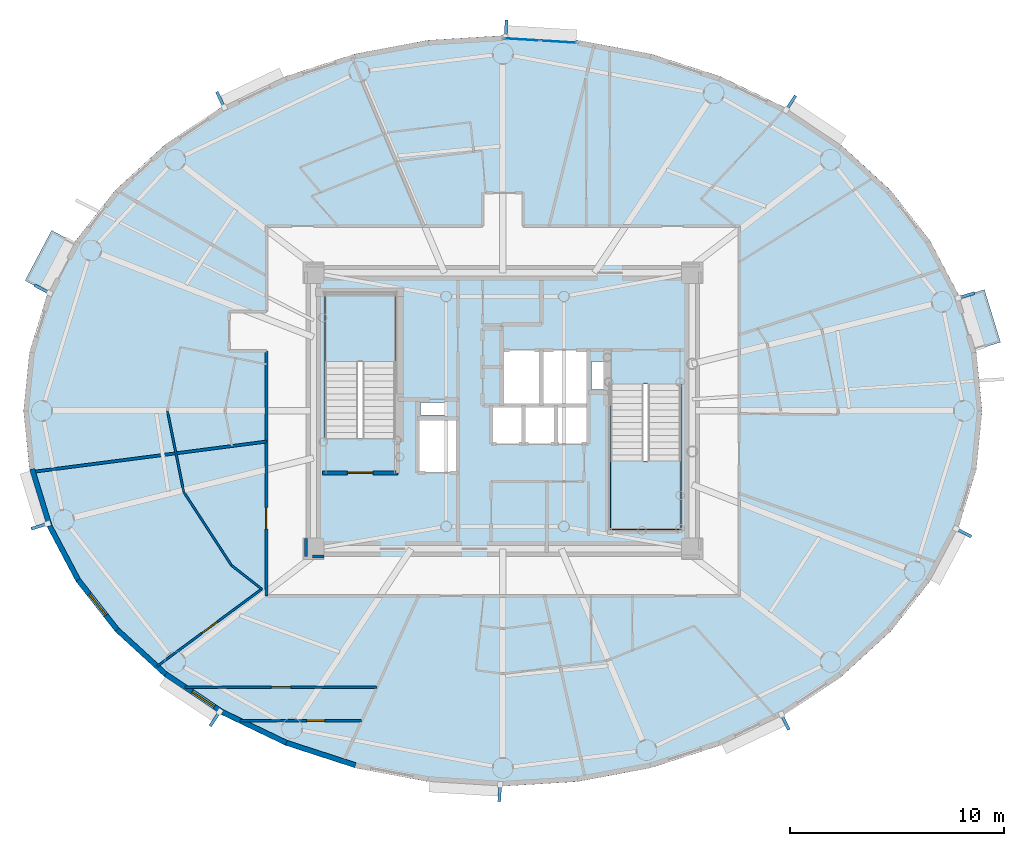
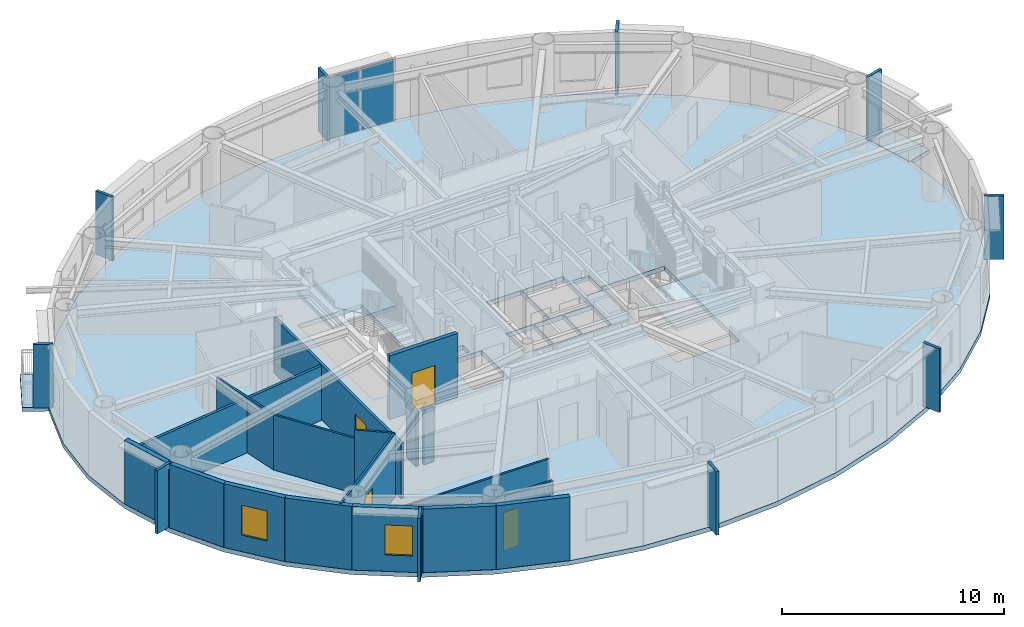
# One storey, part 5 of 18: 18 walls, 12 plates, 5 doors, 5 slabs, 2 windows, 7 openings, 3 elements without a shape of their own.
"""IFC4 building model written with IfcOpenShell, lengths in metres."""

from ifc_helpers import new_model, si_unit, direction, frame, frame_2d, origin, origin_2d, place, context, subcontext, project, spatial, polyline, rectangle, outline, extrude, source, transform, mapped, material, layer, layer_set, type_object, element, fill, aggregate, save


model = new_model("IFC4")

# Units and contexts
model_context = context("Model", 3, precision=1e-05, world=origin(), true_north=direction((0.0, 1.0)))
body_context = subcontext(model_context, "Body", "Model", "MODEL_VIEW")
ifc_project = project(units=[si_unit("LENGTHUNIT", "METRE"), si_unit("AREAUNIT", "SQUARE_METRE"), si_unit("VOLUMEUNIT", "CUBIC_METRE"), si_unit("PLANEANGLEUNIT", "RADIAN"), si_unit("MASSUNIT", "GRAM", prefix="KILO")], contexts=[model_context])

# Site, building, storey
site_placement = place(None, origin())
site = spatial("IfcSite", under=ifc_project, at=site_placement, CompositionType="ELEMENT")
building_placement = place(site_placement, origin())
building = spatial("IfcBuilding", under=site, at=building_placement, Name="Linh Dai School and Residence Tower", CompositionType="ELEMENT")
storey_placement = place(building_placement, frame((0.0, 0.0, 295.5)))
storey = spatial("IfcBuildingStorey", under=building, at=storey_placement, Name="L73", CompositionType="ELEMENT", Elevation=295.5)

# Slabs
ifc_material_1 = material(Name="Concrete B45 (C35/45)", Category="concrete")
ifc_layer_1 = layer(ifc_material_1, 0.219970703125)
ifc_layer_set_1 = layer_set([ifc_layer_1], Name="Concrete B45 (C35/45)")
slab_type_1 = type_object("IfcSlabType", Name="SLB-BALC-220", PredefinedType="FLOOR", material=ifc_layer_set_1)
slab_1_placement = place(storey_placement, frame((0.0, 0.0, -0.219970703125)))
element("IfcSlab", 1, at=slab_1_placement, inside=storey, type_object=slab_type_1, Name="L73 Sliding Balcony Slab 02", PredefinedType="FLOOR", context=body_context, shape_type="SweptSolid", body=[
    extrude(outline(polyline([(57.260498046875, 32.289794921875), (58.015380859375, 29.827880859375), (59.25830078125, 30.208984375), (58.50341796875, 32.6708984375), (57.260498046875, 32.289794921875)])), origin(), (0.0, 0.0, 1.0), 0.219970703125),
])
slab_2_placement = place(storey_placement, frame((0.0, 0.0, -0.219970703125)))
element("IfcSlab", 2, at=slab_2_placement, inside=storey, type_object=slab_type_1, Name="L73 Sliding Balcony Slab 18", PredefinedType="FLOOR", context=body_context, shape_type="SweptSolid", body=[
    extrude(outline(polyline([(14.81884765625, 32.481689453125), (16.0595703125, 34.827392578125), (14.91064453125, 35.435302734375), (13.669677734375, 33.089599609375), (14.81884765625, 32.481689453125)])), origin(), (0.0, 0.0, 1.0), 0.219970703125),
])
ifc_layer_2 = layer(ifc_material_1, 0.25)
ifc_layer_set_2 = layer_set([ifc_layer_2], Name="Concrete B45 (C35/45)")
slab_type_2 = type_object("IfcSlabType", Name="SLB-FLR250", PredefinedType="FLOOR", material=ifc_layer_set_2)
slab_3_placement = place(storey_placement, frame((0.0, 0.0, -0.25)))
element("IfcSlab", 3, at=slab_3_placement, inside=storey, type_object=slab_type_2, Name="L73 Composite Structural Floor Slab", PredefinedType="FLOOR", context=body_context, shape_type="SweptSolid", body=[
    extrude(outline(polyline([(58.39990234375, 27.0), (58.124267578125, 29.743896484375), (57.3037109375, 32.420166015625), (55.95849609375, 34.962890625), (54.1220703125, 37.309814453125), (51.839111328125, 39.402587890625), (49.16650390625, 41.190185546875), (46.16943359375, 42.628173828125), (42.921875, 43.681640625), (39.504150390625, 44.323974609375), (36.0, 44.5400390625), (32.495849609375, 44.323974609375), (29.078125, 43.681640625), (25.83056640625, 42.628173828125), (22.83349609375, 41.190185546875), (20.160888671875, 39.402587890625), (17.8779296875, 37.309814453125), (16.04150390625, 34.962890625), (14.6962890625, 32.420166015625), (13.875732421875, 29.743896484375), (13.60009765625, 27.0), (13.875732421875, 24.256103515625), (14.6962890625, 21.579833984375), (16.04150390625, 19.037109375), (17.8779296875, 16.690185546875), (20.160888671875, 14.597412109375), (22.83349609375, 12.809814453125), (25.83056640625, 11.371826171875), (29.078125, 10.318359375), (32.495849609375, 9.676025390625), (36.0, 9.4599609375), (39.504150390625, 9.676025390625), (42.921875, 10.318359375), (46.16943359375, 11.371826171875), (49.16650390625, 12.809814453125), (51.839111328125, 14.597412109375), (54.1220703125, 16.690185546875), (55.95849609375, 19.037109375), (57.3037109375, 21.579833984375), (58.124267578125, 24.256103515625), (58.39990234375, 27.0)]), holes=[polyline([(30.97998046875, 25.699951171875), (30.97998046875, 32.5), (27.679931640625, 32.5), (27.679931640625, 25.699951171875), (30.97998046875, 25.699951171875)]), polyline([(41.02001953125, 28.25), (41.02001953125, 21.449951171875), (44.320068359375, 21.449951171875), (44.320068359375, 28.25), (41.02001953125, 28.25)]), polyline([(35.97998046875, 27.280029296875), (37.77001953125, 27.280029296875), (37.77001953125, 29.820068359375), (35.97998046875, 29.820068359375), (35.97998046875, 27.280029296875)]), polyline([(32.030029296875, 24.1298828125), (33.8701171875, 24.1298828125), (33.8701171875, 26.6201171875), (32.030029296875, 26.6201171875), (32.030029296875, 24.1298828125)]), polyline([(37.830078125, 27.280029296875), (39.969970703125, 27.280029296875), (39.969970703125, 29.820068359375), (37.830078125, 29.820068359375), (37.830078125, 27.280029296875)]), polyline([(35.47998046875, 25.47998046875), (36.929931640625, 25.47998046875), (36.929931640625, 27.219970703125), (35.47998046875, 27.219970703125), (35.47998046875, 25.47998046875)]), polyline([(36.989990234375, 25.47998046875), (38.449951171875, 25.47998046875), (38.449951171875, 27.219970703125), (36.989990234375, 27.219970703125), (36.989990234375, 25.47998046875)]), polyline([(38.510009765625, 25.47998046875), (39.969970703125, 25.47998046875), (39.969970703125, 27.219970703125), (38.510009765625, 27.219970703125), (38.510009765625, 25.47998046875)]), polyline([(40.14990234375, 28.0), (40.14990234375, 29.300048828125), (41.0, 29.300048828125), (41.0, 28.280029296875), (40.989990234375, 28.280029296875), (40.989990234375, 28.0), (40.14990234375, 28.0)]), polyline([(32.14990234375, 26.800048828125), (33.35009765625, 26.800048828125), (33.35009765625, 27.39990234375), (32.14990234375, 27.39990234375), (32.14990234375, 26.800048828125)])]), origin(), (0.0, 0.0, 1.0), 0.25),
])

# Stair, slab
stair_type = type_object("IfcStairType", Name="ST-DOG-1550-R1442", PredefinedType="HALF_TURN_STAIR", material=ifc_material_1)
stair_1_placement = place(storey_placement, origin())
stair_1 = element("IfcStair", 4, at=stair_1_placement, inside=storey, type_object=stair_type, Name="L73 Core Smokeproof Exit Stair ST1", PredefinedType="HALF_TURN_STAIR")
ifc_layer_3 = layer(ifc_material_1, 0.199951171875)
ifc_layer_set_3 = layer_set([ifc_layer_3], Name="Concrete B45 (C35/45)")
slab_type_3 = type_object("IfcSlabType", Name="SLB-ST-LANDING-200", PredefinedType="LANDING", material=ifc_layer_set_3)
slab_4_placement = place(storey_placement, frame((0.0, 0.0, 1.675048828125)))
slab_4 = element("IfcSlab", 5, at=slab_4_placement, type_object=slab_type_3, Name="ST1 landing 1", PredefinedType="LANDING", context=body_context, shape_type="SweptSolid", body=[
    extrude(outline(polyline([(30.97998046875, 29.300048828125), (30.97998046875, 32.5), (27.679931640625, 32.5), (27.679931640625, 29.300048828125), (30.97998046875, 29.300048828125)])), origin(), (0.0, 0.0, 1.0), 0.199951171875),
])
aggregate(stair_1, [slab_4])

stair_2_placement = place(storey_placement, origin())
stair_2 = element("IfcStair", 6, at=stair_2_placement, inside=storey, type_object=stair_type, Name="L73 Core Smokeproof Exit Stair ST2", PredefinedType="HALF_TURN_STAIR")
slab_5_placement = place(storey_placement, frame((0.0, 0.0, 1.675048828125)))
slab_5 = element("IfcSlab", 7, at=slab_5_placement, type_object=slab_type_3, Name="ST2 landing 1", PredefinedType="LANDING", context=body_context, shape_type="SweptSolid", body=[
    extrude(outline(polyline([(41.02001953125, 24.64990234375), (41.02001953125, 21.449951171875), (44.320068359375, 21.449951171875), (44.320068359375, 24.64990234375), (41.02001953125, 24.64990234375)])), origin(), (0.0, 0.0, 1.0), 0.199951171875),
])
aggregate(stair_2, [slab_5])

# Plates
ifc_material_2 = material(Name="Precast Concrete B45 (C35/45)", Category="concrete")
ifc_layer_4 = layer(ifc_material_2, 0.139892578125)
ifc_layer_set_4 = layer_set([ifc_layer_4], Name="Precast Concrete B45 (C35/45)")
plate_type_1 = type_object("IfcPlateType", Name="FIN-TC-900x140", PredefinedType="USERDEFINED", material=ifc_layer_set_4)
shared_shape_1 = source(origin(), body_context, "Body", "SweptSolid", [
    extrude(rectangle(XDim=0.89990234375, YDim=0.139892578125, at=origin_2d()), origin(), (0.0, 0.0, 1.0), 3.5),
])
for number, where, z_axis, x_axis, name in (
    (8, (57.615478515625, 32.377685546875, 0.0), (0.0, 0.0, 1.0), (0.956069236934, 0.293140945944, 0.0), "L73 Precast Terracotta Radial Fin 02"),
    (9, (49.43212890625, 41.355712890625, 0.0), (0.0, 0.0, 1.0), (0.555907926874, 0.831243873264, 0.0), "L73 Precast Terracotta Radial Fin 06"),
    (10, (36.14501953125, 44.81689453125, 0.0), (0.0, 0.0, 1.0), (0.061509965157, 0.998106469364, 0.0), "L73 Precast Terracotta Radial Fin 10"),
    (11, (22.826171875, 41.503173828125, 0.0), (0.0, 0.0, 1.0), (-0.432611916456, 0.901580240323, 0.0), "L73 Precast Terracotta Radial Fin 14"),
    (12, (14.50537109375, 32.669921875, 0.0), (0.0, 0.0, 1.0), (-0.883938310975, 0.467603531201, 0.0), "L73 Precast Terracotta Radial Fin 18"),
    (13, (14.384521484375, 21.622314453125, 0.0), (0.0, 0.0, 1.0), (-0.956069236934, -0.293140945944, 0.0), "L73 Precast Terracotta Radial Fin 22"),
    (14, (22.56787109375, 12.644287109375, 0.0), (0.0, 0.0, 1.0), (-0.555905765624, -0.831245318631, 0.0), "L73 Precast Terracotta Radial Fin 26"),
    (15, (35.85498046875, 9.18310546875, 0.0), (0.0, 0.0, 1.0), (-0.061509965157, -0.998106469364, 0.0), "L73 Precast Terracotta Radial Fin 30"),
    (16, (49.173828125, 12.496826171875, 0.0), (0.0, 0.0, 1.0), (0.432611916456, -0.901580240323, 0.0), "L73 Precast Terracotta Radial Fin 34"),
    (17, (57.49462890625, 21.330078125, 0.0), (0.0, 0.0, 1.0), (0.883938310975, -0.467603531201, 0.0), "L73 Precast Terracotta Radial Fin 38"),
):
    element("IfcPlate", number, at=place(storey_placement, frame(where, z_axis=z_axis, x_axis=x_axis)), inside=storey, type_object=plate_type_1, Name=name, ObjectType="RADIAL FIN", PredefinedType="USERDEFINED", context=body_context, shape_type="MappedRepresentation", body=[
        mapped(shared_shape_1, transform((0.0, 0.0, 0.0), x_axis=(1.0, 0.0, 0.0), y_axis=(0.0, 1.0, 0.0), z_axis=(0.0, 0.0, 1.0), scale=1.0)),
    ])

# Curtain wall, plates
ifc_material_3 = material(Name="Aluminium Anodised Curtain Wall", Category="aluminium")
ifc_layer_5 = layer(ifc_material_3, 0.14990234375)
ifc_layer_set_5 = layer_set([ifc_layer_5], Name="Aluminium Anodised Curtain Wall")
curtain_wall_type = type_object("IfcCurtainWallType", Name="CW-SYS-4", PredefinedType="USERDEFINED", material=ifc_layer_set_5)
curtain_wall_placement = place(storey_placement, origin())
curtain_wall = element("IfcCurtainWall", 18, at=curtain_wall_placement, inside=storey, type_object=curtain_wall_type, Name="L73 CW4 Curtain Wall 10", ObjectType="RIBBON CURTAIN WALL", PredefinedType="USERDEFINED")
ifc_material_4 = material(Name="Double Low-E Insulated Glazing", Category="glass")
ifc_layer_6 = layer(ifc_material_4, 0.02587890625)
ifc_layer_set_6 = layer_set([ifc_layer_6], Name="Double Low-E Insulated Glazing")
plate_type_2 = type_object("IfcPlateType", Name="CW-SYS-4-PAN", PredefinedType="CURTAIN_PANEL", material=ifc_layer_set_6)
shared_shape_2 = source(origin(), body_context, "Body", "SweptSolid", [
    extrude(rectangle(XDim=1.669677734375, YDim=0.02587890625, at=origin_2d()), origin(), (0.0, 0.0, 1.0), 3.39599609375),
])
plate_1_placement = place(storey_placement, frame((36.88525390625, 44.3603515625, 0.052001953125), z_axis=(0.0, 0.0, 1.0), x_axis=(0.998106469364, -0.061509965157, 0.0)))
plate_1 = element("IfcPlate", 19, at=plate_1_placement, type_object=plate_type_2, Name="CW4 panel 1.1", PredefinedType="CURTAIN_PANEL", context=body_context, shape_type="MappedRepresentation", body=[
    mapped(shared_shape_2, transform((0.0, 0.0, 0.0), x_axis=(1.0, 0.0, 0.0), y_axis=(0.0, 1.0, 0.0), z_axis=(0.0, 0.0, 1.0), scale=1.0)),
])
plate_2_placement = place(storey_placement, frame((38.603515625, 44.254638671875, 0.052001953125), z_axis=(0.0, 0.0, 1.0), x_axis=(0.998106469364, -0.061509965157, 0.0)))
plate_2 = element("IfcPlate", 20, at=plate_2_placement, type_object=plate_type_2, Name="CW4 panel 2.1", PredefinedType="CURTAIN_PANEL", context=body_context, shape_type="MappedRepresentation", body=[
    mapped(shared_shape_2, transform((0.0, 0.0, 0.0), x_axis=(1.0, 0.0, 0.0), y_axis=(0.0, 1.0, 0.0), z_axis=(0.0, 0.0, 1.0), scale=1.0)),
])
aggregate(curtain_wall, [plate_1, plate_2])

# Walls
ifc_layer_7 = layer(ifc_material_2, 0.239990234375)
ifc_layer_set_7 = layer_set([ifc_layer_7], Name="Precast Concrete B45 (C35/45)")
wall_type_1 = type_object("IfcWallType", Name="EW-TC-240", PredefinedType="SOLIDWALL", material=ifc_layer_set_7)
wall_1_placement = place(storey_placement, frame((14.811767578125, 21.627685546875, 0.0), z_axis=(0.0, 0.0, 1.0), x_axis=(-0.2931213403, 0.956075248012, 0.0)))
element("IfcWall", 21, at=wall_1_placement, inside=storey, type_object=wall_type_1, Name="L73 Terracotta Exterior Wall 22", PredefinedType="SOLIDWALL", context=body_context, shape_type="SweptSolid", body=[
    extrude(rectangle(XDim=2.775146484375, YDim=0.239990234375, at=frame_2d((1.3876953125, 0.0))), origin(), (0.0, 0.0, 1.0), 3.5),
])
wall_2_placement = place(storey_placement, frame((16.146240234375, 19.105224609375, 0.0), z_axis=(0.0, 0.0, 1.0), x_axis=(-0.467628269026, 0.883925224218, 0.0)))
element("IfcWall", 22, at=wall_2_placement, inside=storey, type_object=wall_type_1, Name="L73 Terracotta Exterior Wall 23", PredefinedType="SOLIDWALL", context=body_context, shape_type="SweptSolid", body=[
    extrude(rectangle(XDim=2.853759765625, YDim=0.239990234375, at=frame_2d((1.4267578125, 0.0))), origin(), (0.0, 0.0, 1.0), 3.5),
])

# Wall, opening, window
wall_3_placement = place(storey_placement, frame((17.9697265625, 16.775390625, 0.0), z_axis=(0.0, 0.0, 1.0), x_axis=(-0.616337186556, 0.787482363275, 0.0)))
wall_3 = element("IfcWall", 23, at=wall_3_placement, inside=storey, type_object=wall_type_1, Name="L73 Terracotta Exterior Wall 24", PredefinedType="SOLIDWALL", context=body_context, shape_type="SweptSolid", body=[
    extrude(rectangle(XDim=2.95849609375, YDim=0.239990234375, at=frame_2d((1.479248046875, 0.0))), origin(), (0.0, 0.0, 1.0), 3.5),
])
opening_1_placement = place(wall_3_placement, frame((0.85400390625, 0.0, 0.89990234375)))
opening_1 = element("IfcOpeningElement", 24, at=opening_1_placement, cuts=wall_3, Name="Opening W3", PredefinedType="OPENING", context=body_context, shape_type="SweptSolid", body=[
    extrude(rectangle(XDim=1.25, YDim=1.64990234375, at=origin_2d()), frame((0.625, 0.1298828125, 0.824951171875), z_axis=(0.0, -1.0, 0.0), x_axis=(1.0, 0.0, 0.0)), (0.0, 0.0, 1.0), 0.260009765625),
])
window_type = type_object("IfcWindowType", Name="WN-RES-1250x1650", PartitioningType="SINGLE_PANEL", PredefinedType="WINDOW", material=ifc_material_4)
shared_shape_3 = source(origin(), body_context, "Body", "SweptSolid", [
    extrude(rectangle(XDim=1.25, YDim=1.64990234375, at=origin_2d()), frame((0.625, 0.030029296875, 0.824951171875), z_axis=(0.0, -1.0, 0.0), x_axis=(1.0, 0.0, 0.0)), (0.0, 0.0, 1.0), 0.06005859375),
])
window_1_placement = place(opening_1_placement, origin())
window_1 = element("IfcWindow", 25, at=window_1_placement, inside=storey, type_object=window_type, Name="L73 Exterior Window 24.1", OverallHeight=1.64990234375, OverallWidth=1.25, PartitioningType="SINGLE_PANEL", PredefinedType="WINDOW", context=body_context, shape_type="MappedRepresentation", body=[
    mapped(shared_shape_3, transform((0.0, 0.0, 0.0), x_axis=(1.0, 0.0, 0.0), y_axis=(0.0, 1.0, 0.0), z_axis=(0.0, 0.0, 1.0), scale=1.0)),
])
fill(opening_1, window_1)

# Wall
wall_4_placement = place(storey_placement, frame((20.23779296875, 14.69580078125, 0.0), z_axis=(0.0, 0.0, 1.0), x_axis=(-0.737068506972, 0.675818034703, 0.0)))
element("IfcWall", 26, at=wall_4_placement, inside=storey, type_object=wall_type_1, Name="L73 Terracotta Exterior Wall 25", PredefinedType="SOLIDWALL", context=body_context, shape_type="SweptSolid", body=[
    extrude(rectangle(XDim=3.0771484375, YDim=0.239990234375, at=frame_2d((1.53857421875, 0.0))), origin(), (0.0, 0.0, 1.0), 3.5),
])

# Wall, opening, window
wall_5_placement = place(storey_placement, frame((22.8955078125, 12.91845703125, 0.0), z_axis=(0.0, 0.0, 1.0), x_axis=(-0.831250592635, 0.55589787933, 0.0)))
wall_5 = element("IfcWall", 27, at=wall_5_placement, inside=storey, type_object=wall_type_1, Name="L73 Terracotta Exterior Wall 26", PredefinedType="SOLIDWALL", context=body_context, shape_type="SweptSolid", body=[
    extrude(rectangle(XDim=3.197265625, YDim=0.239990234375, at=frame_2d((1.5986328125, 0.0))), origin(), (0.0, 0.0, 1.0), 3.5),
])
opening_2_placement = place(wall_5_placement, frame((0.45751953125, 0.0, 0.89990234375)))
opening_2 = element("IfcOpeningElement", 28, at=opening_2_placement, cuts=wall_5, Name="Opening W3", PredefinedType="OPENING", context=body_context, shape_type="SweptSolid", body=[
    extrude(rectangle(XDim=1.25, YDim=1.64990234375, at=origin_2d()), frame((0.625, 0.1298828125, 0.824951171875), z_axis=(0.0, -1.0, 0.0), x_axis=(1.0, 0.0, 0.0)), (0.0, 0.0, 1.0), 0.260009765625),
])
window_2_placement = place(opening_2_placement, origin())
window_2 = element("IfcWindow", 29, at=window_2_placement, inside=storey, type_object=window_type, Name="L73 Dwelling Window U7304-LIV", OverallHeight=1.64990234375, OverallWidth=1.25, PartitioningType="SINGLE_PANEL", PredefinedType="WINDOW", context=body_context, shape_type="MappedRepresentation", body=[
    mapped(shared_shape_3, transform((0.0, 0.0, 0.0), x_axis=(1.0, 0.0, 0.0), y_axis=(0.0, 1.0, 0.0), z_axis=(0.0, 0.0, 1.0), scale=1.0)),
])
fill(opening_2, window_2)

# Walls
wall_6_placement = place(storey_placement, frame((25.876953125, 11.48779296875, 0.0), z_axis=(0.0, 0.0, 1.0), x_axis=(-0.901573741254, 0.43262546051, 0.0)))
element("IfcWall", 30, at=wall_6_placement, inside=storey, type_object=wall_type_1, Name="L73 Terracotta Exterior Wall 27", PredefinedType="SOLIDWALL", context=body_context, shape_type="SweptSolid", body=[
    extrude(rectangle(XDim=3.306884765625, YDim=0.239990234375, at=frame_2d((1.6533203125, 0.0))), origin(), (0.0, 0.0, 1.0), 3.5),
])
wall_7_placement = place(storey_placement, frame((29.10888671875, 10.439697265625, 0.0), z_axis=(0.0, 0.0, 1.0), x_axis=(-0.95123136723, 0.308478339592, 0.0)))
element("IfcWall", 31, at=wall_7_placement, inside=storey, type_object=wall_type_1, Name="L73 Terracotta Exterior Wall 28", PredefinedType="SOLIDWALL", context=body_context, shape_type="SweptSolid", body=[
    extrude(rectangle(XDim=3.397705078125, YDim=0.239990234375, at=frame_2d((1.69873046875, 0.0))), origin(), (0.0, 0.0, 1.0), 3.5),
])
ifc_material_5 = material(Name="Autoclaved Aerated Concrete Blockwork", Category="masonry")
ifc_layer_8 = layer(ifc_material_5, 0.135009765625)
ifc_layer_set_8 = layer_set([ifc_layer_8], Name="Autoclaved Aerated Concrete Blockwork")
wall_type_2 = type_object("IfcWallType", Name="IW-CORR-135-EI90", PredefinedType="PARTITIONING", material=ifc_layer_set_8)
wall_8_placement = place(storey_placement, frame((14.032958984375, 24.15087890625, 0.0), z_axis=(0.0, 0.0, 1.0), x_axis=(0.99169266035, 0.128629963101, 0.0)))
element("IfcWall", 32, at=wall_8_placement, inside=storey, type_object=wall_type_2, Name="L73 Interior Partition Wall 001", PredefinedType="PARTITIONING", context=body_context, shape_type="SweptSolid", body=[
    extrude(rectangle(XDim=11.008544921875, YDim=0.135009765625, at=frame_2d((5.50439453125, 0.0))), origin(), (0.0, 0.0, 1.0), 2.985107421875),
])

# Wall, opening, door
wall_9_placement = place(storey_placement, frame((24.949951171875, 18.35009765625, 0.0), z_axis=(0.0, 0.0, 1.0), x_axis=(0.0, 1.0, 0.0)))
wall_9 = element("IfcWall", 33, at=wall_9_placement, inside=storey, type_object=wall_type_2, Name="L73 Interior Partition Wall 016", PredefinedType="PARTITIONING", context=body_context, shape_type="SweptSolid", body=[
    extrude(rectangle(XDim=11.449951171875, YDim=0.135009765625, at=frame_2d((5.72509765625, 0.0))), origin(), (0.0, 0.0, 1.0), 3.034912109375),
])
opening_3_placement = place(wall_9_placement, frame((3.12841796875, 0.0, 0.0)))
opening_3 = element("IfcOpeningElement", 34, at=opening_3_placement, cuts=wall_9, Name="Opening D03", PredefinedType="OPENING", context=body_context, shape_type="SweptSolid", body=[
    extrude(rectangle(XDim=1.0, YDim=2.14990234375, at=origin_2d()), frame((0.5, 0.07763671875, 1.074951171875), z_axis=(0.0, -1.0, 0.0), x_axis=(1.0, 0.0, 0.0)), (0.0, 0.0, 1.0), 0.155029296875),
])
ifc_material_6 = material(Name="Fire-Rated Solid Timber Entrance Door", Category="wood")
door_type_1 = type_object("IfcDoorType", Name="DR-FLAT-1000x2150-FD60S", OperationType="NOTDEFINED", PredefinedType="DOOR", material=ifc_material_6)
shared_shape_4 = source(origin(), body_context, "Body", "SweptSolid", [
    extrude(rectangle(XDim=1.0, YDim=2.14990234375, at=origin_2d()), frame((0.5, 0.02490234375, 1.074951171875), z_axis=(0.0, -1.0, 0.0), x_axis=(1.0, 0.0, 0.0)), (0.0, 0.0, 1.0), 0.050048828125),
])
door_1_placement = place(opening_3_placement, origin())
door_1 = element("IfcDoor", 35, at=door_1_placement, inside=storey, type_object=door_type_1, Name="L73 U7304 Apartment Entrance Door", OperationType="SINGLE_SWING_RIGHT", OverallHeight=2.14990234375, OverallWidth=1.0, PredefinedType="DOOR", context=body_context, shape_type="MappedRepresentation", body=[
    mapped(shared_shape_4, transform((0.0, 0.0, 0.0), x_axis=(1.0, 0.0, 0.0), y_axis=(0.0, 1.0, 0.0), z_axis=(0.0, 0.0, 1.0), scale=1.0)),
])
fill(opening_3, door_1)

# Walls
wall_10_placement = place(storey_placement, frame((26.800048828125, 21.0400390625, 0.0), z_axis=(0.0, 0.0, 1.0), x_axis=(0.0, -1.0, 0.0)))
element("IfcWall", 36, at=wall_10_placement, inside=storey, type_object=wall_type_2, Name="L73 Interior Partition Wall 096", PredefinedType="PARTITIONING", context=body_context, shape_type="SweptSolid", body=[
    extrude(rectangle(XDim=0.840087890625, YDim=0.135009765625, at=frame_2d((0.419921875, 0.0))), origin(), (0.0, 0.0, 1.0), 3.034912109375),
])
wall_11_placement = place(storey_placement, frame((27.107421875, 20.199951171875, 0.0), z_axis=(0.0, 0.0, 1.0), x_axis=(1.0, 0.0, 0.0)))
element("IfcWall", 37, at=wall_11_placement, inside=storey, type_object=wall_type_2, Name="L73 Interior Partition Wall 097", PredefinedType="PARTITIONING", context=body_context, shape_type="SweptSolid", body=[
    extrude(rectangle(XDim=0.532470703125, YDim=0.135009765625, at=frame_2d((0.26611328125, 0.0))), origin(), (0.0, 0.0, 1.0), 3.034912109375),
])

# Wall, opening, door
ifc_layer_9 = layer(ifc_material_1, 0.199951171875)
ifc_layer_set_9 = layer_set([ifc_layer_9], Name="Concrete B45 (C35/45)")
wall_type_3 = type_object("IfcWallType", Name="IW-SHAFT-200-EI120", PredefinedType="PARTITIONING", material=ifc_layer_set_9)
wall_12_placement = place(storey_placement, frame((27.56005859375, 24.10009765625, 0.0), z_axis=(0.0, 0.0, 1.0), x_axis=(1.0, 0.0, 0.0)))
wall_12 = element("IfcWall", 38, at=wall_12_placement, inside=storey, type_object=wall_type_3, Name="L73 Interior Partition Wall 024", PredefinedType="PARTITIONING", context=body_context, shape_type="SweptSolid", body=[
    extrude(rectangle(XDim=3.5400390625, YDim=0.199951171875, at=frame_2d((1.77001953125, 0.0))), origin(), (0.0, 0.0, 1.0), 3.5),
])
opening_4_placement = place(wall_12_placement, frame((1.169921875, 0.0, 0.0)))
opening_4 = element("IfcOpeningElement", 39, at=opening_4_placement, cuts=wall_12, Name="Opening D01", PredefinedType="OPENING", context=body_context, shape_type="SweptSolid", body=[
    extrude(rectangle(XDim=1.199951171875, YDim=2.14990234375, at=origin_2d()), frame((0.60009765625, 0.10986328125, 1.074951171875), z_axis=(0.0, -1.0, 0.0), x_axis=(1.0, 0.0, 0.0)), (0.0, 0.0, 1.0), 0.219970703125),
])
ifc_material_7 = material(Name="Fire-Rated Steel Door Leaf", Category="steel")
door_type_2 = type_object("IfcDoorType", Name="DR-STAIR-1200x2150-FD90S", OperationType="NOTDEFINED", PredefinedType="DOOR", material=ifc_material_7)
shared_shape_5 = source(origin(), body_context, "Body", "SweptSolid", [
    extrude(rectangle(XDim=1.199951171875, YDim=2.14990234375, at=origin_2d()), frame((0.60009765625, 0.02490234375, 1.074951171875), z_axis=(0.0, -1.0, 0.0), x_axis=(1.0, 0.0, 0.0)), (0.0, 0.0, 1.0), 0.050048828125),
])
door_2_placement = place(opening_4_placement, origin())
door_2 = element("IfcDoor", 40, at=door_2_placement, inside=storey, type_object=door_type_2, Name="L73 Core Smokeproof Exit Stair ST1 Door", OperationType="SINGLE_SWING_LEFT", OverallHeight=2.14990234375, OverallWidth=1.199951171875, PredefinedType="DOOR", context=body_context, shape_type="MappedRepresentation", body=[
    mapped(shared_shape_5, transform((0.0, 0.0, 0.0), x_axis=(1.0, 0.0, 0.0), y_axis=(0.0, 1.0, 0.0), z_axis=(0.0, 0.0, 1.0), scale=1.0)),
])
fill(opening_4, door_2)

ifc_material_8 = material(Name="Gypsum Plasterboard Acoustic Stud Partition", Category="masonry")
ifc_layer_10 = layer(ifc_material_8, 0.10009765625)
ifc_layer_set_10 = layer_set([ifc_layer_10], Name="Gypsum Plasterboard Acoustic Stud Partition")
wall_type_4 = type_object("IfcWallType", Name="IW-UNIT-100", PredefinedType="PARTITIONING", material=ifc_layer_set_10)
wall_13_placement = place(storey_placement, frame((19.83349609375, 15.059814453125, 0.0), z_axis=(0.0, 0.0, 1.0), x_axis=(0.804387847123, 0.594104529019, 0.0)))
wall_13 = element("IfcWall", 41, at=wall_13_placement, inside=storey, type_object=wall_type_4, Name="L73 Interior Partition Wall 003", PredefinedType="PARTITIONING", context=body_context, shape_type="SweptSolid", body=[
    extrude(rectangle(XDim=6.0859375, YDim=0.10009765625, at=frame_2d((3.04296875, 0.0))), origin(), (0.0, 0.0, 1.0), 3.5),
])
opening_5_placement = place(wall_13_placement, frame((2.593017578125, 0.0, 0.0)))
opening_5 = element("IfcOpeningElement", 42, at=opening_5_placement, cuts=wall_13, Name="Opening D05", PredefinedType="OPENING", context=body_context, shape_type="SweptSolid", body=[
    extrude(rectangle(XDim=0.89990234375, YDim=2.10009765625, at=origin_2d()), frame((0.449951171875, 0.06005859375, 1.050048828125), z_axis=(0.0, -1.0, 0.0), x_axis=(1.0, 0.0, 0.0)), (0.0, 0.0, 1.0), 0.1201171875),
])
ifc_material_9 = material(Name="Engineered Timber Internal Door", Category="wood")
door_type_3 = type_object("IfcDoorType", Name="DR-INT-900x2100", OperationType="NOTDEFINED", PredefinedType="DOOR", material=ifc_material_9)
shared_shape_6 = source(origin(), body_context, "Body", "SweptSolid", [
    extrude(rectangle(XDim=0.89990234375, YDim=2.10009765625, at=origin_2d()), frame((0.449951171875, 0.02490234375, 1.050048828125), z_axis=(0.0, -1.0, 0.0), x_axis=(1.0, 0.0, 0.0)), (0.0, 0.0, 1.0), 0.050048828125),
])
door_3_placement = place(opening_5_placement, origin())
door_3 = element("IfcDoor", 43, at=door_3_placement, inside=storey, type_object=door_type_3, Name="L73 Apartment U7304 Principal Bedroom 1 Door", OperationType="SINGLE_SWING_LEFT", OverallHeight=2.10009765625, OverallWidth=0.89990234375, PredefinedType="DOOR", context=body_context, shape_type="MappedRepresentation", body=[
    mapped(shared_shape_6, transform((0.0, 0.0, 0.0), x_axis=(1.0, 0.0, 0.0), y_axis=(0.0, 1.0, 0.0), z_axis=(0.0, 0.0, 1.0), scale=1.0)),
])
fill(opening_5, door_3)

# Walls
wall_14_placement = place(storey_placement, frame((20.320068359375, 27.0, 0.0), z_axis=(0.0, 0.0, 1.0), x_axis=(0.198226068862, -0.980156327135, 0.0)))
element("IfcWall", 44, at=wall_14_placement, inside=storey, type_object=wall_type_4, Name="L73 Interior Partition Wall 005", PredefinedType="PARTITIONING", context=body_context, shape_type="SweptSolid", body=[
    extrude(rectangle(XDim=3.87109375, YDim=0.10009765625, at=frame_2d((1.935546875, 0.0))), origin(), (0.0, 0.0, 1.0), 3.034912109375),
])
wall_15_placement = place(storey_placement, frame((21.08740234375, 23.205810546875, 0.0), z_axis=(0.0, 0.0, 1.0), x_axis=(0.545435886628, -0.838152547916, 0.0)))
element("IfcWall", 45, at=wall_15_placement, inside=storey, type_object=wall_type_4, Name="L73 Interior Partition Wall 007", PredefinedType="PARTITIONING", context=body_context, shape_type="SweptSolid", body=[
    extrude(rectangle(XDim=4.08349609375, YDim=0.10009765625, at=frame_2d((2.041748046875, 0.0))), origin(), (0.0, 0.0, 1.0), 3.034912109375),
])

# Wall, opening, door
wall_16_placement = place(storey_placement, frame((21.14404296875, 14.083740234375, 0.0), z_axis=(0.0, 0.0, 1.0), x_axis=(1.0, 0.0, 0.0)))
wall_16 = element("IfcWall", 46, at=wall_16_placement, inside=storey, type_object=wall_type_4, Name="L73 Interior Partition Wall 008", PredefinedType="PARTITIONING", context=body_context, shape_type="SweptSolid", body=[
    extrude(rectangle(XDim=8.971435546875, YDim=0.10009765625, at=frame_2d((4.48583984375, 0.0))), origin(), (0.0, 0.0, 1.0), 2.985107421875),
])
opening_6_placement = place(wall_16_placement, frame((4.035888671875, 0.0, 0.0)))
opening_6 = element("IfcOpeningElement", 47, at=opening_6_placement, cuts=wall_16, Name="Opening D05", PredefinedType="OPENING", context=body_context, shape_type="SweptSolid", body=[
    extrude(rectangle(XDim=0.89990234375, YDim=2.10009765625, at=origin_2d()), frame((0.449951171875, 0.06005859375, 1.050048828125), z_axis=(0.0, -1.0, 0.0), x_axis=(1.0, 0.0, 0.0)), (0.0, 0.0, 1.0), 0.1201171875),
])
door_4_placement = place(opening_6_placement, origin())
door_4 = element("IfcDoor", 48, at=door_4_placement, inside=storey, type_object=door_type_3, Name="L73 Apartment U7304 Kitchen Door", OperationType="SINGLE_SWING_RIGHT", OverallHeight=2.10009765625, OverallWidth=0.89990234375, PredefinedType="DOOR", context=body_context, shape_type="MappedRepresentation", body=[
    mapped(shared_shape_6, transform((0.0, 0.0, 0.0), x_axis=(1.0, 0.0, 0.0), y_axis=(0.0, 1.0, 0.0), z_axis=(0.0, 0.0, 1.0), scale=1.0)),
])
fill(opening_6, door_4)

# Wall
wall_17_placement = place(storey_placement, frame((23.314697265625, 19.783203125, 0.0), z_axis=(0.0, 0.0, 1.0), x_axis=(0.787284128546, -0.616590383431, 0.0)))
element("IfcWall", 49, at=wall_17_placement, inside=storey, type_object=wall_type_4, Name="L73 Interior Partition Wall 014", PredefinedType="PARTITIONING", context=body_context, shape_type="SweptSolid", body=[
    extrude(rectangle(XDim=1.79638671875, YDim=0.10009765625, at=frame_2d((0.898193359375, 0.0))), origin(), (0.0, 0.0, 1.0), 3.5),
])

# Wall, opening, door
wall_18_placement = place(storey_placement, frame((23.71875, 12.517822265625, 0.0), z_axis=(0.0, 0.0, 1.0), x_axis=(1.0, 0.0, 0.0)))
wall_18 = element("IfcWall", 50, at=wall_18_placement, inside=storey, type_object=wall_type_4, Name="L73 Interior Partition Wall 015", PredefinedType="PARTITIONING", context=body_context, shape_type="SweptSolid", body=[
    extrude(rectangle(XDim=5.683349609375, YDim=0.10009765625, at=frame_2d((2.841796875, 0.0))), origin(), (0.0, 0.0, 1.0), 2.985107421875),
])
opening_7_placement = place(wall_18_placement, frame((3.125244140625, 0.0, 0.0)))
opening_7 = element("IfcOpeningElement", 51, at=opening_7_placement, cuts=wall_18, Name="Opening D06", PredefinedType="OPENING", context=body_context, shape_type="SweptSolid", body=[
    extrude(rectangle(XDim=0.820068359375, YDim=2.10009765625, at=origin_2d()), frame((0.41015625, 0.06005859375, 1.050048828125), z_axis=(0.0, -1.0, 0.0), x_axis=(1.0, 0.0, 0.0)), (0.0, 0.0, 1.0), 0.1201171875),
])
ifc_material_10 = material(Name="Moisture-Resistant Timber Bathroom Door", Category="wood")
door_type_4 = type_object("IfcDoorType", Name="DR-WET-820x2100", OperationType="NOTDEFINED", PredefinedType="DOOR", material=ifc_material_10)
shared_shape_7 = source(origin(), body_context, "Body", "SweptSolid", [
    extrude(rectangle(XDim=0.820068359375, YDim=2.10009765625, at=origin_2d()), frame((0.41015625, 0.02490234375, 1.050048828125), z_axis=(0.0, -1.0, 0.0), x_axis=(1.0, 0.0, 0.0)), (0.0, 0.0, 1.0), 0.050048828125),
])
door_5_placement = place(opening_7_placement, origin())
door_5 = element("IfcDoor", 52, at=door_5_placement, inside=storey, type_object=door_type_4, Name="L73 Apartment U7304 Bathroom 1 Door", OperationType="SINGLE_SWING_LEFT", OverallHeight=2.10009765625, OverallWidth=0.820068359375, PredefinedType="DOOR", context=body_context, shape_type="MappedRepresentation", body=[
    mapped(shared_shape_7, transform((0.0, 0.0, 0.0), x_axis=(1.0, 0.0, 0.0), y_axis=(0.0, 1.0, 0.0), z_axis=(0.0, 0.0, 1.0), scale=1.0)),
])
fill(opening_7, door_5)

save(model, "model.ifc")
